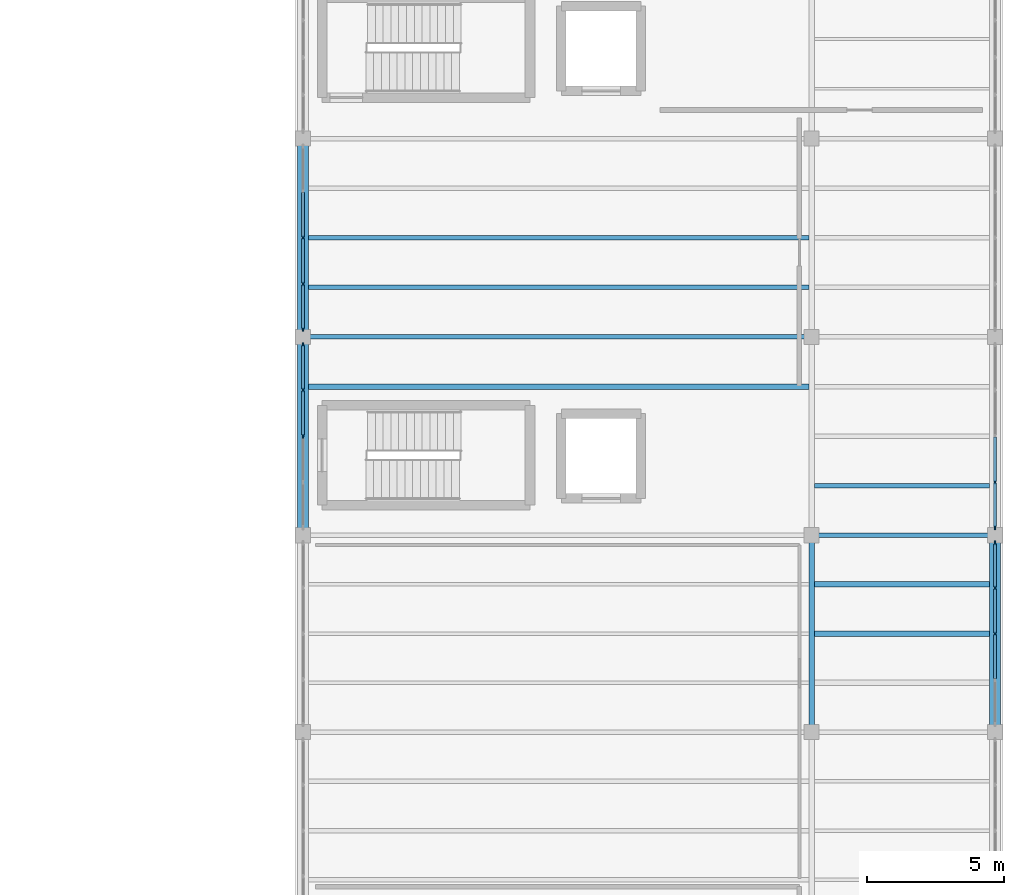
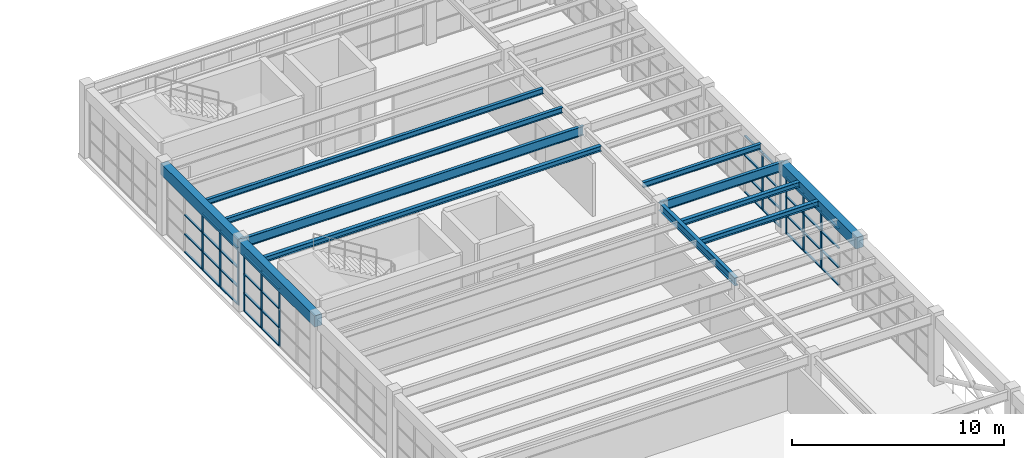
# One storey, part 32 of 66: 50 members, 12 beams, 4 elements without a shape of their own.
"""IFC4 building model written with IfcOpenShell, lengths in metres."""

from ifc_helpers import new_model, si_unit, direction, frame, origin, origin_2d, place, context, subcontext, project, spatial, rectangle, i_section, extrude, material, layer, layer_set, material_profile, profile_set, type_object, element, aggregate, save


model = new_model("IFC4")

# Units and contexts
model_context = context("Model", 3, precision=1e-05, world=origin(), true_north=direction((0.0, 1.0)))
body_context = subcontext(model_context, "Body", "Model", "MODEL_VIEW")
ifc_project = project(units=[si_unit("LENGTHUNIT", "METRE"), si_unit("AREAUNIT", "SQUARE_METRE"), si_unit("VOLUMEUNIT", "CUBIC_METRE"), si_unit("PLANEANGLEUNIT", "RADIAN"), si_unit("MASSUNIT", "GRAM", prefix="KILO")], contexts=[model_context])

# Site, building, storey
site_placement = place(None, origin())
site = spatial("IfcSite", under=ifc_project, at=site_placement, CompositionType="ELEMENT")
building_placement = place(site_placement, origin())
building = spatial("IfcBuilding", under=site, at=building_placement, Name="Candilejo Ridge Gondola Terminal", CompositionType="ELEMENT")
storey_placement = place(building_placement, frame((0.0, 0.0, 14.39990234375)))
storey = spatial("IfcBuildingStorey", under=building, at=storey_placement, Name="L03", CompositionType="ELEMENT", Elevation=14.39990234375)

# Curtain wall, members
ifc_material_1 = material(Name="Anodised aluminium AA 6063-T6", Category="aluminium")
ifc_layer_1 = layer(ifc_material_1, 0.169921875)
ifc_layer_set_1 = layer_set([ifc_layer_1], Name="ARC-CW-TOWER-3000-670X329")
curtain_wall_type_1 = type_object("IfcCurtainWallType", Name="ARC-CW-TOWER-3000-670X329", PredefinedType="NOTDEFINED", material=ifc_layer_set_1)
curtain_wall_1_placement = place(storey_placement, origin())
curtain_wall_1 = element("IfcCurtainWall", 1, at=curtain_wall_1_placement, inside=storey, type_object=curtain_wall_type_1, Name="Curtain wall V5 L03-201", PredefinedType="NOTDEFINED")
ifc_material_2 = material(Name="Anodised aluminium AA 6063-T6", Category="aluminium")
ifc_material_profile_1 = material_profile(ifc_material_2, rectangle(XDim=0.06494140625, YDim=0.14990234375, at=origin_2d()))
ifc_profile_set_1 = profile_set([ifc_material_profile_1], Name="Anodised aluminium AA 6063-T6")
member_type_1 = type_object("IfcMemberType", Name="ARC-CW-MULLION-150", PredefinedType="MULLION", material=ifc_profile_set_1)
member_1_placement = place(storey_placement, frame((175.300048828125, 95.449951171875, 0.0), z_axis=(0.0, 0.0, 1.0), x_axis=(-1.0, 0.0, 0.0)))
member_1 = element("IfcMember", 2, at=member_1_placement, type_object=member_type_1, Name="CW-67X32 mullion 3", PredefinedType="MULLION", context=body_context, shape_type="SweptSolid", body=[
    extrude(rectangle(XDim=0.06494140625, YDim=0.14990234375, at=origin_2d()), origin(), (0.0, 0.0, 1.0), 3.2900390625),
])
member_2_placement = place(storey_placement, frame((175.300048828125, 97.125, 0.0), z_axis=(0.0, 0.0, 1.0), x_axis=(-1.0, 0.0, 0.0)))
member_2 = element("IfcMember", 3, at=member_2_placement, type_object=member_type_1, Name="CW-67X32 mullion 4", PredefinedType="MULLION", context=body_context, shape_type="SweptSolid", body=[
    extrude(rectangle(XDim=0.06494140625, YDim=0.14990234375, at=origin_2d()), origin(), (0.0, 0.0, 1.0), 3.2900390625),
])
member_3_placement = place(storey_placement, frame((175.300048828125, 98.767578125, 0.0), z_axis=(0.0, 0.0, 1.0), x_axis=(-1.0, 0.0, 0.0)))
member_3 = element("IfcMember", 4, at=member_3_placement, type_object=member_type_1, Name="CW-67X32 mullion 5", PredefinedType="MULLION", context=body_context, shape_type="SweptSolid", body=[
    extrude(rectangle(XDim=0.06494140625, YDim=0.14990234375, at=origin_2d()), origin(), (0.0, 0.0, 1.0), 3.2900390625),
])

ifc_material_3 = material(Name="Anodised aluminium AA 6063-T6", Category="aluminium")
ifc_layer_2 = layer(ifc_material_3, 0.169921875)
ifc_layer_set_2 = layer_set([ifc_layer_2], Name="ARC-CW-TOWER-3000-675X329")
curtain_wall_type_2 = type_object("IfcCurtainWallType", Name="ARC-CW-TOWER-3000-675X329", PredefinedType="NOTDEFINED", material=ifc_layer_set_2)
curtain_wall_2_placement = place(storey_placement, origin())
curtain_wall_2 = element("IfcCurtainWall", 5, at=curtain_wall_2_placement, inside=storey, type_object=curtain_wall_type_2, Name="Curtain wall V5 L03-202", PredefinedType="NOTDEFINED")
member_4_placement = place(storey_placement, frame((150.0, 102.675048828125, 0.0), z_axis=(0.0, 0.0, 1.0), x_axis=(-1.0, 0.0, 0.0)))
member_4 = element("IfcMember", 6, at=member_4_placement, type_object=member_type_1, Name="CW-67X32 mullion 3", PredefinedType="MULLION", context=body_context, shape_type="SweptSolid", body=[
    extrude(rectangle(XDim=0.06494140625, YDim=0.14990234375, at=origin_2d()), origin(), (0.0, 0.0, 1.0), 3.2900390625),
])
member_5_placement = place(storey_placement, frame((150.0, 104.362548828125, 0.0), z_axis=(0.0, 0.0, 1.0), x_axis=(-1.0, 0.0, 0.0)))
member_5 = element("IfcMember", 7, at=member_5_placement, type_object=member_type_1, Name="CW-67X32 mullion 4", PredefinedType="MULLION", context=body_context, shape_type="SweptSolid", body=[
    extrude(rectangle(XDim=0.06494140625, YDim=0.14990234375, at=origin_2d()), origin(), (0.0, 0.0, 1.0), 3.2900390625),
])
member_6_placement = place(storey_placement, frame((150.0, 106.017578125, 0.0), z_axis=(0.0, 0.0, 1.0), x_axis=(-1.0, 0.0, 0.0)))
member_6 = element("IfcMember", 8, at=member_6_placement, type_object=member_type_1, Name="CW-67X32 mullion 5", PredefinedType="MULLION", context=body_context, shape_type="SweptSolid", body=[
    extrude(rectangle(XDim=0.06494140625, YDim=0.14990234375, at=origin_2d()), origin(), (0.0, 0.0, 1.0), 3.2900390625),
])

curtain_wall_3_placement = place(storey_placement, origin())
curtain_wall_3 = element("IfcCurtainWall", 9, at=curtain_wall_3_placement, inside=storey, type_object=curtain_wall_type_2, Name="Curtain wall V5 L03-203", PredefinedType="NOTDEFINED")
member_7_placement = place(storey_placement, frame((175.300048828125, 99.33251953125, 0.0), z_axis=(0.0, 0.0, 1.0), x_axis=(-1.0, 0.0, 0.0)))
member_7 = element("IfcMember", 10, at=member_7_placement, type_object=member_type_1, Name="CW-67X32 mullion 1", PredefinedType="MULLION", context=body_context, shape_type="SweptSolid", body=[
    extrude(rectangle(XDim=0.06494140625, YDim=0.14990234375, at=origin_2d()), origin(), (0.0, 0.0, 1.0), 3.2900390625),
])
member_8_placement = place(storey_placement, frame((175.300048828125, 100.987548828125, 0.0), z_axis=(0.0, 0.0, 1.0), x_axis=(-1.0, 0.0, 0.0)))
member_8 = element("IfcMember", 11, at=member_8_placement, type_object=member_type_1, Name="CW-67X32 mullion 2", PredefinedType="MULLION", context=body_context, shape_type="SweptSolid", body=[
    extrude(rectangle(XDim=0.06494140625, YDim=0.14990234375, at=origin_2d()), origin(), (0.0, 0.0, 1.0), 3.2900390625),
])

curtain_wall_4_placement = place(storey_placement, origin())
curtain_wall_4 = element("IfcCurtainWall", 12, at=curtain_wall_4_placement, inside=storey, type_object=curtain_wall_type_2, Name="Curtain wall V5 L03-204", PredefinedType="NOTDEFINED")
member_9_placement = place(storey_placement, frame((150.0, 106.58251953125, 0.0), z_axis=(0.0, 0.0, 1.0), x_axis=(-1.0, 0.0, 0.0)))
member_9 = element("IfcMember", 13, at=member_9_placement, type_object=member_type_1, Name="CW-67X32 mullion 1", PredefinedType="MULLION", context=body_context, shape_type="SweptSolid", body=[
    extrude(rectangle(XDim=0.06494140625, YDim=0.14990234375, at=origin_2d()), origin(), (0.0, 0.0, 1.0), 3.2900390625),
])
member_10_placement = place(storey_placement, frame((150.0, 108.237548828125, 0.0), z_axis=(0.0, 0.0, 1.0), x_axis=(-1.0, 0.0, 0.0)))
member_10 = element("IfcMember", 14, at=member_10_placement, type_object=member_type_1, Name="CW-67X32 mullion 2", PredefinedType="MULLION", context=body_context, shape_type="SweptSolid", body=[
    extrude(rectangle(XDim=0.06494140625, YDim=0.14990234375, at=origin_2d()), origin(), (0.0, 0.0, 1.0), 3.2900390625),
])
member_11_placement = place(storey_placement, frame((150.0, 109.925048828125, 0.0), z_axis=(0.0, 0.0, 1.0), x_axis=(-1.0, 0.0, 0.0)))
member_11 = element("IfcMember", 15, at=member_11_placement, type_object=member_type_1, Name="CW-67X32 mullion 3", PredefinedType="MULLION", context=body_context, shape_type="SweptSolid", body=[
    extrude(rectangle(XDim=0.06494140625, YDim=0.14990234375, at=origin_2d()), origin(), (0.0, 0.0, 1.0), 3.2900390625),
])

# Member
ifc_material_4 = material(Name="Anodised aluminium AA 6063-T6", Category="aluminium")
ifc_material_profile_2 = material_profile(ifc_material_4, rectangle(XDim=0.110107421875, YDim=0.06005859375, at=origin_2d()))
ifc_profile_set_2 = profile_set([ifc_material_profile_2], Name="Anodised aluminium AA 6063-T6")
member_type_2 = type_object("IfcMemberType", Name="ARC-CW-TRANSOM-110", PredefinedType="USERDEFINED", material=ifc_profile_set_2)
member_12_placement = place(storey_placement, frame((175.300048828125, 93.8076171875, 0.030029296875), z_axis=(0.0, 1.0, 0.0), x_axis=(-1.0, 0.0, 0.0)))
member_12 = element("IfcMember", 16, at=member_12_placement, type_object=member_type_2, Name="CW-67X32 transom 2.1", ObjectType="TRANSOM", PredefinedType="USERDEFINED", context=body_context, shape_type="SweptSolid", body=[
    extrude(rectangle(XDim=0.110107421875, YDim=0.06005859375, at=origin_2d()), origin(), (0.0, 0.0, 1.0), 1.60986328125),
])

member_13_placement = place(storey_placement, frame((175.300048828125, 93.8076171875, 1.050048828125), z_axis=(0.0, 1.0, 0.0), x_axis=(-1.0, 0.0, 0.0)))
member_13 = element("IfcMember", 17, at=member_13_placement, type_object=member_type_2, Name="CW-67X32 transom 2.2", ObjectType="TRANSOM", PredefinedType="USERDEFINED", context=body_context, shape_type="SweptSolid", body=[
    extrude(rectangle(XDim=0.110107421875, YDim=0.06005859375, at=origin_2d()), origin(), (0.0, 0.0, 1.0), 1.60986328125),
])

member_14_placement = place(storey_placement, frame((175.300048828125, 93.8076171875, 2.150146484375), z_axis=(0.0, 1.0, 0.0), x_axis=(-1.0, 0.0, 0.0)))
member_14 = element("IfcMember", 18, at=member_14_placement, type_object=member_type_2, Name="CW-67X32 transom 2.3", ObjectType="TRANSOM", PredefinedType="USERDEFINED", context=body_context, shape_type="SweptSolid", body=[
    extrude(rectangle(XDim=0.110107421875, YDim=0.06005859375, at=origin_2d()), origin(), (0.0, 0.0, 1.0), 1.60986328125),
])

member_15_placement = place(storey_placement, frame((175.300048828125, 93.8076171875, 3.260009765625), z_axis=(0.0, 1.0, 0.0), x_axis=(-1.0, 0.0, 0.0)))
member_15 = element("IfcMember", 19, at=member_15_placement, type_object=member_type_2, Name="CW-67X32 transom 2.4", ObjectType="TRANSOM", PredefinedType="USERDEFINED", context=body_context, shape_type="SweptSolid", body=[
    extrude(rectangle(XDim=0.110107421875, YDim=0.06005859375, at=origin_2d()), origin(), (0.0, 0.0, 1.0), 1.60986328125),
])

member_16_placement = place(storey_placement, frame((175.300048828125, 95.482421875, 0.030029296875), z_axis=(0.0, 1.0, 0.0), x_axis=(-1.0, 0.0, 0.0)))
member_16 = element("IfcMember", 20, at=member_16_placement, type_object=member_type_2, Name="CW-67X32 transom 3.1", ObjectType="TRANSOM", PredefinedType="USERDEFINED", context=body_context, shape_type="SweptSolid", body=[
    extrude(rectangle(XDim=0.110107421875, YDim=0.06005859375, at=origin_2d()), origin(), (0.0, 0.0, 1.0), 1.610107421875),
])

member_17_placement = place(storey_placement, frame((175.300048828125, 95.482421875, 1.050048828125), z_axis=(0.0, 1.0, 0.0), x_axis=(-1.0, 0.0, 0.0)))
member_17 = element("IfcMember", 21, at=member_17_placement, type_object=member_type_2, Name="CW-67X32 transom 3.2", ObjectType="TRANSOM", PredefinedType="USERDEFINED", context=body_context, shape_type="SweptSolid", body=[
    extrude(rectangle(XDim=0.110107421875, YDim=0.06005859375, at=origin_2d()), origin(), (0.0, 0.0, 1.0), 1.610107421875),
])

member_18_placement = place(storey_placement, frame((175.300048828125, 95.482421875, 2.150146484375), z_axis=(0.0, 1.0, 0.0), x_axis=(-1.0, 0.0, 0.0)))
member_18 = element("IfcMember", 22, at=member_18_placement, type_object=member_type_2, Name="CW-67X32 transom 3.3", ObjectType="TRANSOM", PredefinedType="USERDEFINED", context=body_context, shape_type="SweptSolid", body=[
    extrude(rectangle(XDim=0.110107421875, YDim=0.06005859375, at=origin_2d()), origin(), (0.0, 0.0, 1.0), 1.610107421875),
])

member_19_placement = place(storey_placement, frame((175.300048828125, 95.482421875, 3.260009765625), z_axis=(0.0, 1.0, 0.0), x_axis=(-1.0, 0.0, 0.0)))
member_19 = element("IfcMember", 23, at=member_19_placement, type_object=member_type_2, Name="CW-67X32 transom 3.4", ObjectType="TRANSOM", PredefinedType="USERDEFINED", context=body_context, shape_type="SweptSolid", body=[
    extrude(rectangle(XDim=0.110107421875, YDim=0.06005859375, at=origin_2d()), origin(), (0.0, 0.0, 1.0), 1.610107421875),
])

member_20_placement = place(storey_placement, frame((175.300048828125, 97.157470703125, 0.030029296875), z_axis=(0.0, 1.0, 0.0), x_axis=(-1.0, 0.0, 0.0)))
member_20 = element("IfcMember", 24, at=member_20_placement, type_object=member_type_2, Name="CW-67X32 transom 4.1", ObjectType="TRANSOM", PredefinedType="USERDEFINED", context=body_context, shape_type="SweptSolid", body=[
    extrude(rectangle(XDim=0.110107421875, YDim=0.06005859375, at=origin_2d()), origin(), (0.0, 0.0, 1.0), 1.57763671875),
])

member_21_placement = place(storey_placement, frame((175.300048828125, 97.157470703125, 1.050048828125), z_axis=(0.0, 1.0, 0.0), x_axis=(-1.0, 0.0, 0.0)))
member_21 = element("IfcMember", 25, at=member_21_placement, type_object=member_type_2, Name="CW-67X32 transom 4.2", ObjectType="TRANSOM", PredefinedType="USERDEFINED", context=body_context, shape_type="SweptSolid", body=[
    extrude(rectangle(XDim=0.110107421875, YDim=0.06005859375, at=origin_2d()), origin(), (0.0, 0.0, 1.0), 1.57763671875),
])

member_22_placement = place(storey_placement, frame((175.300048828125, 97.157470703125, 2.150146484375), z_axis=(0.0, 1.0, 0.0), x_axis=(-1.0, 0.0, 0.0)))
member_22 = element("IfcMember", 26, at=member_22_placement, type_object=member_type_2, Name="CW-67X32 transom 4.3", ObjectType="TRANSOM", PredefinedType="USERDEFINED", context=body_context, shape_type="SweptSolid", body=[
    extrude(rectangle(XDim=0.110107421875, YDim=0.06005859375, at=origin_2d()), origin(), (0.0, 0.0, 1.0), 1.57763671875),
])

member_23_placement = place(storey_placement, frame((175.300048828125, 97.157470703125, 3.260009765625), z_axis=(0.0, 1.0, 0.0), x_axis=(-1.0, 0.0, 0.0)))
member_23 = element("IfcMember", 27, at=member_23_placement, type_object=member_type_2, Name="CW-67X32 transom 4.4", ObjectType="TRANSOM", PredefinedType="USERDEFINED", context=body_context, shape_type="SweptSolid", body=[
    extrude(rectangle(XDim=0.110107421875, YDim=0.06005859375, at=origin_2d()), origin(), (0.0, 0.0, 1.0), 1.57763671875),
])

aggregate(curtain_wall_1, [member_1, member_2, member_3, member_12, member_13, member_14, member_15, member_16, member_17, member_18, member_19, member_20, member_21, member_22, member_23])

member_24_placement = place(storey_placement, frame((150.0, 102.70751953125, 0.030029296875), z_axis=(0.0, 1.0, 0.0), x_axis=(-1.0, 0.0, 0.0)))
member_24 = element("IfcMember", 28, at=member_24_placement, type_object=member_type_2, Name="CW-67X32 transom 3.1", ObjectType="TRANSOM", PredefinedType="USERDEFINED", context=body_context, shape_type="SweptSolid", body=[
    extrude(rectangle(XDim=0.110107421875, YDim=0.06005859375, at=origin_2d()), origin(), (0.0, 0.0, 1.0), 1.62255859375),
])

member_25_placement = place(storey_placement, frame((150.0, 102.70751953125, 1.050048828125), z_axis=(0.0, 1.0, 0.0), x_axis=(-1.0, 0.0, 0.0)))
member_25 = element("IfcMember", 29, at=member_25_placement, type_object=member_type_2, Name="CW-67X32 transom 3.2", ObjectType="TRANSOM", PredefinedType="USERDEFINED", context=body_context, shape_type="SweptSolid", body=[
    extrude(rectangle(XDim=0.110107421875, YDim=0.06005859375, at=origin_2d()), origin(), (0.0, 0.0, 1.0), 1.62255859375),
])

member_26_placement = place(storey_placement, frame((150.0, 102.70751953125, 2.150146484375), z_axis=(0.0, 1.0, 0.0), x_axis=(-1.0, 0.0, 0.0)))
member_26 = element("IfcMember", 30, at=member_26_placement, type_object=member_type_2, Name="CW-67X32 transom 3.3", ObjectType="TRANSOM", PredefinedType="USERDEFINED", context=body_context, shape_type="SweptSolid", body=[
    extrude(rectangle(XDim=0.110107421875, YDim=0.06005859375, at=origin_2d()), origin(), (0.0, 0.0, 1.0), 1.62255859375),
])

member_27_placement = place(storey_placement, frame((150.0, 102.70751953125, 3.260009765625), z_axis=(0.0, 1.0, 0.0), x_axis=(-1.0, 0.0, 0.0)))
member_27 = element("IfcMember", 31, at=member_27_placement, type_object=member_type_2, Name="CW-67X32 transom 3.4", ObjectType="TRANSOM", PredefinedType="USERDEFINED", context=body_context, shape_type="SweptSolid", body=[
    extrude(rectangle(XDim=0.110107421875, YDim=0.06005859375, at=origin_2d()), origin(), (0.0, 0.0, 1.0), 1.62255859375),
])

member_28_placement = place(storey_placement, frame((150.0, 104.39501953125, 0.030029296875), z_axis=(0.0, 1.0, 0.0), x_axis=(-1.0, 0.0, 0.0)))
member_28 = element("IfcMember", 32, at=member_28_placement, type_object=member_type_2, Name="CW-67X32 transom 4.1", ObjectType="TRANSOM", PredefinedType="USERDEFINED", context=body_context, shape_type="SweptSolid", body=[
    extrude(rectangle(XDim=0.110107421875, YDim=0.06005859375, at=origin_2d()), origin(), (0.0, 0.0, 1.0), 1.590087890625),
])

member_29_placement = place(storey_placement, frame((150.0, 104.39501953125, 1.050048828125), z_axis=(0.0, 1.0, 0.0), x_axis=(-1.0, 0.0, 0.0)))
member_29 = element("IfcMember", 33, at=member_29_placement, type_object=member_type_2, Name="CW-67X32 transom 4.2", ObjectType="TRANSOM", PredefinedType="USERDEFINED", context=body_context, shape_type="SweptSolid", body=[
    extrude(rectangle(XDim=0.110107421875, YDim=0.06005859375, at=origin_2d()), origin(), (0.0, 0.0, 1.0), 1.590087890625),
])

member_30_placement = place(storey_placement, frame((150.0, 104.39501953125, 2.150146484375), z_axis=(0.0, 1.0, 0.0), x_axis=(-1.0, 0.0, 0.0)))
member_30 = element("IfcMember", 34, at=member_30_placement, type_object=member_type_2, Name="CW-67X32 transom 4.3", ObjectType="TRANSOM", PredefinedType="USERDEFINED", context=body_context, shape_type="SweptSolid", body=[
    extrude(rectangle(XDim=0.110107421875, YDim=0.06005859375, at=origin_2d()), origin(), (0.0, 0.0, 1.0), 1.590087890625),
])

member_31_placement = place(storey_placement, frame((150.0, 104.39501953125, 3.260009765625), z_axis=(0.0, 1.0, 0.0), x_axis=(-1.0, 0.0, 0.0)))
member_31 = element("IfcMember", 35, at=member_31_placement, type_object=member_type_2, Name="CW-67X32 transom 4.4", ObjectType="TRANSOM", PredefinedType="USERDEFINED", context=body_context, shape_type="SweptSolid", body=[
    extrude(rectangle(XDim=0.110107421875, YDim=0.06005859375, at=origin_2d()), origin(), (0.0, 0.0, 1.0), 1.590087890625),
])

aggregate(curtain_wall_2, [member_4, member_5, member_6, member_24, member_25, member_26, member_27, member_28, member_29, member_30, member_31])

member_32_placement = place(storey_placement, frame((175.300048828125, 99.364990234375, 0.030029296875), z_axis=(0.0, 1.0, 0.0), x_axis=(-1.0, 0.0, 0.0)))
member_32 = element("IfcMember", 36, at=member_32_placement, type_object=member_type_2, Name="CW-67X32 transom 1.1", ObjectType="TRANSOM", PredefinedType="USERDEFINED", context=body_context, shape_type="SweptSolid", body=[
    extrude(rectangle(XDim=0.110107421875, YDim=0.06005859375, at=origin_2d()), origin(), (0.0, 0.0, 1.0), 1.590087890625),
])

member_33_placement = place(storey_placement, frame((175.300048828125, 99.364990234375, 1.050048828125), z_axis=(0.0, 1.0, 0.0), x_axis=(-1.0, 0.0, 0.0)))
member_33 = element("IfcMember", 37, at=member_33_placement, type_object=member_type_2, Name="CW-67X32 transom 1.2", ObjectType="TRANSOM", PredefinedType="USERDEFINED", context=body_context, shape_type="SweptSolid", body=[
    extrude(rectangle(XDim=0.110107421875, YDim=0.06005859375, at=origin_2d()), origin(), (0.0, 0.0, 1.0), 1.590087890625),
])

member_34_placement = place(storey_placement, frame((175.300048828125, 99.364990234375, 2.150146484375), z_axis=(0.0, 1.0, 0.0), x_axis=(-1.0, 0.0, 0.0)))
member_34 = element("IfcMember", 38, at=member_34_placement, type_object=member_type_2, Name="CW-67X32 transom 1.3", ObjectType="TRANSOM", PredefinedType="USERDEFINED", context=body_context, shape_type="SweptSolid", body=[
    extrude(rectangle(XDim=0.110107421875, YDim=0.06005859375, at=origin_2d()), origin(), (0.0, 0.0, 1.0), 1.590087890625),
])

member_35_placement = place(storey_placement, frame((175.300048828125, 99.364990234375, 3.260009765625), z_axis=(0.0, 1.0, 0.0), x_axis=(-1.0, 0.0, 0.0)))
member_35 = element("IfcMember", 39, at=member_35_placement, type_object=member_type_2, Name="CW-67X32 transom 1.4", ObjectType="TRANSOM", PredefinedType="USERDEFINED", context=body_context, shape_type="SweptSolid", body=[
    extrude(rectangle(XDim=0.110107421875, YDim=0.06005859375, at=origin_2d()), origin(), (0.0, 0.0, 1.0), 1.590087890625),
])

member_36_placement = place(storey_placement, frame((175.300048828125, 101.02001953125, 0.030029296875), z_axis=(0.0, 1.0, 0.0), x_axis=(-1.0, 0.0, 0.0)))
member_36 = element("IfcMember", 40, at=member_36_placement, type_object=member_type_2, Name="CW-67X32 transom 2.1", ObjectType="TRANSOM", PredefinedType="USERDEFINED", context=body_context, shape_type="SweptSolid", body=[
    extrude(rectangle(XDim=0.110107421875, YDim=0.06005859375, at=origin_2d()), origin(), (0.0, 0.0, 1.0), 1.62255859375),
])

member_37_placement = place(storey_placement, frame((175.300048828125, 101.02001953125, 1.050048828125), z_axis=(0.0, 1.0, 0.0), x_axis=(-1.0, 0.0, 0.0)))
member_37 = element("IfcMember", 41, at=member_37_placement, type_object=member_type_2, Name="CW-67X32 transom 2.2", ObjectType="TRANSOM", PredefinedType="USERDEFINED", context=body_context, shape_type="SweptSolid", body=[
    extrude(rectangle(XDim=0.110107421875, YDim=0.06005859375, at=origin_2d()), origin(), (0.0, 0.0, 1.0), 1.62255859375),
])

member_38_placement = place(storey_placement, frame((175.300048828125, 101.02001953125, 2.150146484375), z_axis=(0.0, 1.0, 0.0), x_axis=(-1.0, 0.0, 0.0)))
member_38 = element("IfcMember", 42, at=member_38_placement, type_object=member_type_2, Name="CW-67X32 transom 2.3", ObjectType="TRANSOM", PredefinedType="USERDEFINED", context=body_context, shape_type="SweptSolid", body=[
    extrude(rectangle(XDim=0.110107421875, YDim=0.06005859375, at=origin_2d()), origin(), (0.0, 0.0, 1.0), 1.62255859375),
])

member_39_placement = place(storey_placement, frame((175.300048828125, 101.02001953125, 3.260009765625), z_axis=(0.0, 1.0, 0.0), x_axis=(-1.0, 0.0, 0.0)))
member_39 = element("IfcMember", 43, at=member_39_placement, type_object=member_type_2, Name="CW-67X32 transom 2.4", ObjectType="TRANSOM", PredefinedType="USERDEFINED", context=body_context, shape_type="SweptSolid", body=[
    extrude(rectangle(XDim=0.110107421875, YDim=0.06005859375, at=origin_2d()), origin(), (0.0, 0.0, 1.0), 1.62255859375),
])

aggregate(curtain_wall_3, [member_7, member_8, member_32, member_33, member_34, member_35, member_36, member_37, member_38, member_39])

member_40_placement = place(storey_placement, frame((150.0, 106.614990234375, 0.030029296875), z_axis=(0.0, 1.0, 0.0), x_axis=(-1.0, 0.0, 0.0)))
member_40 = element("IfcMember", 44, at=member_40_placement, type_object=member_type_2, Name="CW-67X32 transom 1.1", ObjectType="TRANSOM", PredefinedType="USERDEFINED", context=body_context, shape_type="SweptSolid", body=[
    extrude(rectangle(XDim=0.110107421875, YDim=0.06005859375, at=origin_2d()), origin(), (0.0, 0.0, 1.0), 1.590087890625),
])

member_41_placement = place(storey_placement, frame((150.0, 106.614990234375, 1.050048828125), z_axis=(0.0, 1.0, 0.0), x_axis=(-1.0, 0.0, 0.0)))
member_41 = element("IfcMember", 45, at=member_41_placement, type_object=member_type_2, Name="CW-67X32 transom 1.2", ObjectType="TRANSOM", PredefinedType="USERDEFINED", context=body_context, shape_type="SweptSolid", body=[
    extrude(rectangle(XDim=0.110107421875, YDim=0.06005859375, at=origin_2d()), origin(), (0.0, 0.0, 1.0), 1.590087890625),
])

member_42_placement = place(storey_placement, frame((150.0, 106.614990234375, 2.150146484375), z_axis=(0.0, 1.0, 0.0), x_axis=(-1.0, 0.0, 0.0)))
member_42 = element("IfcMember", 46, at=member_42_placement, type_object=member_type_2, Name="CW-67X32 transom 1.3", ObjectType="TRANSOM", PredefinedType="USERDEFINED", context=body_context, shape_type="SweptSolid", body=[
    extrude(rectangle(XDim=0.110107421875, YDim=0.06005859375, at=origin_2d()), origin(), (0.0, 0.0, 1.0), 1.590087890625),
])

member_43_placement = place(storey_placement, frame((150.0, 106.614990234375, 3.260009765625), z_axis=(0.0, 1.0, 0.0), x_axis=(-1.0, 0.0, 0.0)))
member_43 = element("IfcMember", 47, at=member_43_placement, type_object=member_type_2, Name="CW-67X32 transom 1.4", ObjectType="TRANSOM", PredefinedType="USERDEFINED", context=body_context, shape_type="SweptSolid", body=[
    extrude(rectangle(XDim=0.110107421875, YDim=0.06005859375, at=origin_2d()), origin(), (0.0, 0.0, 1.0), 1.590087890625),
])

member_44_placement = place(storey_placement, frame((150.0, 108.27001953125, 0.030029296875), z_axis=(0.0, 1.0, 0.0), x_axis=(-1.0, 0.0, 0.0)))
member_44 = element("IfcMember", 48, at=member_44_placement, type_object=member_type_2, Name="CW-67X32 transom 2.1", ObjectType="TRANSOM", PredefinedType="USERDEFINED", context=body_context, shape_type="SweptSolid", body=[
    extrude(rectangle(XDim=0.110107421875, YDim=0.06005859375, at=origin_2d()), origin(), (0.0, 0.0, 1.0), 1.62255859375),
])

member_45_placement = place(storey_placement, frame((150.0, 108.27001953125, 1.050048828125), z_axis=(0.0, 1.0, 0.0), x_axis=(-1.0, 0.0, 0.0)))
member_45 = element("IfcMember", 49, at=member_45_placement, type_object=member_type_2, Name="CW-67X32 transom 2.2", ObjectType="TRANSOM", PredefinedType="USERDEFINED", context=body_context, shape_type="SweptSolid", body=[
    extrude(rectangle(XDim=0.110107421875, YDim=0.06005859375, at=origin_2d()), origin(), (0.0, 0.0, 1.0), 1.62255859375),
])

member_46_placement = place(storey_placement, frame((150.0, 108.27001953125, 2.150146484375), z_axis=(0.0, 1.0, 0.0), x_axis=(-1.0, 0.0, 0.0)))
member_46 = element("IfcMember", 50, at=member_46_placement, type_object=member_type_2, Name="CW-67X32 transom 2.3", ObjectType="TRANSOM", PredefinedType="USERDEFINED", context=body_context, shape_type="SweptSolid", body=[
    extrude(rectangle(XDim=0.110107421875, YDim=0.06005859375, at=origin_2d()), origin(), (0.0, 0.0, 1.0), 1.62255859375),
])

member_47_placement = place(storey_placement, frame((150.0, 108.27001953125, 3.260009765625), z_axis=(0.0, 1.0, 0.0), x_axis=(-1.0, 0.0, 0.0)))
member_47 = element("IfcMember", 51, at=member_47_placement, type_object=member_type_2, Name="CW-67X32 transom 2.4", ObjectType="TRANSOM", PredefinedType="USERDEFINED", context=body_context, shape_type="SweptSolid", body=[
    extrude(rectangle(XDim=0.110107421875, YDim=0.06005859375, at=origin_2d()), origin(), (0.0, 0.0, 1.0), 1.62255859375),
])

member_48_placement = place(storey_placement, frame((150.0, 109.95751953125, 0.030029296875), z_axis=(0.0, 1.0, 0.0), x_axis=(-1.0, 0.0, 0.0)))
member_48 = element("IfcMember", 52, at=member_48_placement, type_object=member_type_2, Name="CW-67X32 transom 3.1", ObjectType="TRANSOM", PredefinedType="USERDEFINED", context=body_context, shape_type="SweptSolid", body=[
    extrude(rectangle(XDim=0.110107421875, YDim=0.06005859375, at=origin_2d()), origin(), (0.0, 0.0, 1.0), 1.62255859375),
])

member_49_placement = place(storey_placement, frame((150.0, 109.95751953125, 1.050048828125), z_axis=(0.0, 1.0, 0.0), x_axis=(-1.0, 0.0, 0.0)))
member_49 = element("IfcMember", 53, at=member_49_placement, type_object=member_type_2, Name="CW-67X32 transom 3.2", ObjectType="TRANSOM", PredefinedType="USERDEFINED", context=body_context, shape_type="SweptSolid", body=[
    extrude(rectangle(XDim=0.110107421875, YDim=0.06005859375, at=origin_2d()), origin(), (0.0, 0.0, 1.0), 1.62255859375),
])

member_50_placement = place(storey_placement, frame((150.0, 109.95751953125, 2.150146484375), z_axis=(0.0, 1.0, 0.0), x_axis=(-1.0, 0.0, 0.0)))
member_50 = element("IfcMember", 54, at=member_50_placement, type_object=member_type_2, Name="CW-67X32 transom 3.3", ObjectType="TRANSOM", PredefinedType="USERDEFINED", context=body_context, shape_type="SweptSolid", body=[
    extrude(rectangle(XDim=0.110107421875, YDim=0.06005859375, at=origin_2d()), origin(), (0.0, 0.0, 1.0), 1.62255859375),
])

aggregate(curtain_wall_4, [member_9, member_10, member_11, member_40, member_41, member_42, member_43, member_44, member_45, member_46, member_47, member_48, member_49, member_50])

# Beams
ifc_material_5 = material(Name="Steel ASTM A992 Grade 50", Category="steel")
ifc_material_profile_3 = material_profile(ifc_material_5, i_section(OverallWidth=0.194091796875, OverallDepth=0.468994140625, WebThickness=0.0126953125, FlangeThickness=0.0205078125, at=origin_2d()))
ifc_profile_set_3 = profile_set([ifc_material_profile_3], Name="Steel ASTM A992 Grade 50")
beam_type_1 = type_object("IfcBeamType", Name="STR-BM-W460X106", PredefinedType="BEAM", material=ifc_profile_set_3)
beam_1_placement = place(storey_placement, frame((168.60009765625, 91.85009765625, 3.755615234375), z_axis=(0.0, 1.0, 0.0), x_axis=(-1.0, 0.0, 0.0)))
element("IfcBeam", 55, at=beam_1_placement, inside=storey, type_object=beam_type_1, Name="Beam Y V5 L03 Y16-Y17@X25", PredefinedType="BEAM", context=body_context, shape_type="SweptSolid", body=[
    extrude(i_section(OverallWidth=0.194091796875, OverallDepth=0.468994140625, WebThickness=0.0126953125, FlangeThickness=0.0205078125, at=origin_2d()), origin(), (0.0, 0.0, 1.0), 7.199951171875),
])
ifc_material_6 = material(Name="Steel ASTM A992 Grade 50", Category="steel")
ifc_material_profile_4 = material_profile(ifc_material_6, i_section(OverallWidth=0.166015625, OverallDepth=0.529052734375, WebThickness=0.009765625, FlangeThickness=0.013671875, at=origin_2d()))
ifc_profile_set_4 = profile_set([ifc_material_profile_4], Name="Steel ASTM A992 Grade 50")
beam_type_2 = type_object("IfcBeamType", Name="STR-BM-W530X74", PredefinedType="BEAM", material=ifc_profile_set_4)
beam_2_placement = place(storey_placement, frame((168.60009765625, 99.050048828125, 3.7255859375), z_axis=(1.0, 0.0, 0.0), x_axis=(0.0, 1.0, 0.0)))
element("IfcBeam", 56, at=beam_2_placement, inside=storey, type_object=beam_type_2, Name="Beam X V5 L03 X25-X27@Y17", PredefinedType="BEAM", context=body_context, shape_type="SweptSolid", body=[
    extrude(i_section(OverallWidth=0.166015625, OverallDepth=0.529052734375, WebThickness=0.009765625, FlangeThickness=0.013671875, at=origin_2d()), origin(), (0.0, 0.0, 1.0), 6.699951171875),
])
beam_3_placement = place(storey_placement, frame((150.0, 106.300048828125, 3.7255859375), z_axis=(1.0, 0.0, 0.0), x_axis=(0.0, 1.0, 0.0)))
element("IfcBeam", 57, at=beam_3_placement, inside=storey, type_object=beam_type_2, Name="Beam X V5 L03 X23-X25@Y18", PredefinedType="BEAM", context=body_context, shape_type="SweptSolid", body=[
    extrude(i_section(OverallWidth=0.166015625, OverallDepth=0.529052734375, WebThickness=0.009765625, FlangeThickness=0.013671875, at=origin_2d()), origin(), (0.0, 0.0, 1.0), 18.60009765625),
])
ifc_material_7 = material(Name="Steel ASTM A992 Grade 50", Category="steel")
ifc_material_profile_5 = material_profile(ifc_material_7, i_section(OverallWidth=0.166015625, OverallDepth=0.31298828125, WebThickness=0.006591796875, FlangeThickness=0.01123046875, at=origin_2d()))
ifc_profile_set_5 = profile_set([ifc_material_profile_5], Name="Steel ASTM A992 Grade 50")
beam_type_3 = type_object("IfcBeamType", Name="STR-JST-W310X44", PredefinedType="JOIST", material=ifc_profile_set_5)
for number, where, z_axis, x_axis, name in (
    (58, (150.199951171875, 108.112548828125, 3.83349609375), (1.0, 0.0, 0.0), (0.0, 1.0, 0.0), "Composite joist V5 L03-1388"),
    (59, (150.199951171875, 109.925048828125, 3.83349609375), (1.0, 0.0, 0.0), (0.0, 1.0, 0.0), "Composite joist V5 L03-1389"),
):
    element("IfcBeam", number, at=place(storey_placement, frame(where, z_axis=z_axis, x_axis=x_axis)), inside=storey, type_object=beam_type_3, Name=name, PredefinedType="JOIST", context=body_context, shape_type="SweptSolid", body=[
        extrude(i_section(OverallWidth=0.166015625, OverallDepth=0.31298828125, WebThickness=0.006591796875, FlangeThickness=0.01123046875, at=origin_2d()), origin(), (0.0, 0.0, 1.0), 18.302978515625),
    ])
beam_4_placement = place(storey_placement, frame((168.697021484375, 100.862548828125, 3.83349609375), z_axis=(1.0, 0.0, 0.0), x_axis=(0.0, 1.0, 0.0)))
element("IfcBeam", 60, at=beam_4_placement, inside=storey, type_object=beam_type_3, Name="Composite joist V5 L03-1398", PredefinedType="JOIST", context=body_context, shape_type="SweptSolid", body=[
    extrude(i_section(OverallWidth=0.166015625, OverallDepth=0.31298828125, WebThickness=0.006591796875, FlangeThickness=0.01123046875, at=origin_2d()), origin(), (0.0, 0.0, 1.0), 6.403076171875),
])
ifc_material_8 = material(Name="Steel ASTM A992 Grade 50", Category="steel")
ifc_material_profile_6 = material_profile(ifc_material_8, i_section(OverallWidth=0.202880859375, OverallDepth=0.302978515625, WebThickness=0.007568359375, FlangeThickness=0.01318359375, at=origin_2d()))
ifc_profile_set_6 = profile_set([ifc_material_profile_6], Name="Steel ASTM A992 Grade 50")
beam_type_4 = type_object("IfcBeamType", Name="STR-JST-W310X60", PredefinedType="JOIST", material=ifc_profile_set_6)
beam_5_placement = place(storey_placement, frame((150.199951171875, 104.487548828125, 3.838623046875), z_axis=(1.0, 0.0, 0.0), x_axis=(0.0, 1.0, 0.0)))
element("IfcBeam", 61, at=beam_5_placement, inside=storey, type_object=beam_type_4, Name="Composite joist V5 L03-1387", PredefinedType="JOIST", context=body_context, shape_type="SweptSolid", body=[
    extrude(i_section(OverallWidth=0.202880859375, OverallDepth=0.302978515625, WebThickness=0.007568359375, FlangeThickness=0.01318359375, at=origin_2d()), origin(), (0.0, 0.0, 1.0), 18.302978515625),
])
for number, where, z_axis, x_axis, name in (
    (62, (168.697021484375, 95.449951171875, 3.838623046875), (1.0, 0.0, 0.0), (0.0, 1.0, 0.0), "Composite joist V5 L03-1396"),
    (63, (168.697021484375, 97.25, 3.838623046875), (1.0, 0.0, 0.0), (0.0, 1.0, 0.0), "Composite joist V5 L03-1397"),
):
    element("IfcBeam", number, at=place(storey_placement, frame(where, z_axis=z_axis, x_axis=x_axis)), inside=storey, type_object=beam_type_4, Name=name, PredefinedType="JOIST", context=body_context, shape_type="SweptSolid", body=[
        extrude(i_section(OverallWidth=0.202880859375, OverallDepth=0.302978515625, WebThickness=0.007568359375, FlangeThickness=0.01318359375, at=origin_2d()), origin(), (0.0, 0.0, 1.0), 6.403076171875),
    ])
ifc_material_9 = material(Name="Concrete f'c 35 MPa (C35/45)", Category="concrete")
ifc_material_profile_7 = material_profile(ifc_material_9, rectangle(XDim=0.39990234375, YDim=0.64990234375, at=origin_2d()))
ifc_profile_set_7 = profile_set([ifc_material_profile_7], Name="Concrete f'c 35 MPa (C35/45)")
beam_type_5 = type_object("IfcBeamType", Name="STR-SPN-RC400X650", PredefinedType="SPANDREL", material=ifc_profile_set_7)
for number, where, z_axis, x_axis, name in (
    (64, (150.0, 99.050048828125, 3.6650390625), (0.0, 1.0, 0.0), (-1.0, 0.0, 0.0), "Beam Y V5 L03 Y17-Y18@X23"),
    (65, (150.0, 106.300048828125, 3.6650390625), (0.0, 1.0, 0.0), (-1.0, 0.0, 0.0), "Beam Y V5 L03 Y18-Y19@X23"),
):
    element("IfcBeam", number, at=place(storey_placement, frame(where, z_axis=z_axis, x_axis=x_axis)), inside=storey, type_object=beam_type_5, Name=name, PredefinedType="SPANDREL", context=body_context, shape_type="SweptSolid", body=[
        extrude(rectangle(XDim=0.39990234375, YDim=0.64990234375, at=origin_2d()), origin(), (0.0, 0.0, 1.0), 7.25),
    ])
beam_6_placement = place(storey_placement, frame((175.300048828125, 91.85009765625, 3.6650390625), z_axis=(0.0, 1.0, 0.0), x_axis=(-1.0, 0.0, 0.0)))
element("IfcBeam", 66, at=beam_6_placement, inside=storey, type_object=beam_type_5, Name="Beam Y V5 L03 Y16-Y17@X27", PredefinedType="SPANDREL", context=body_context, shape_type="SweptSolid", body=[
    extrude(rectangle(XDim=0.39990234375, YDim=0.64990234375, at=origin_2d()), origin(), (0.0, 0.0, 1.0), 7.199951171875),
])

save(model, "model.ifc")
